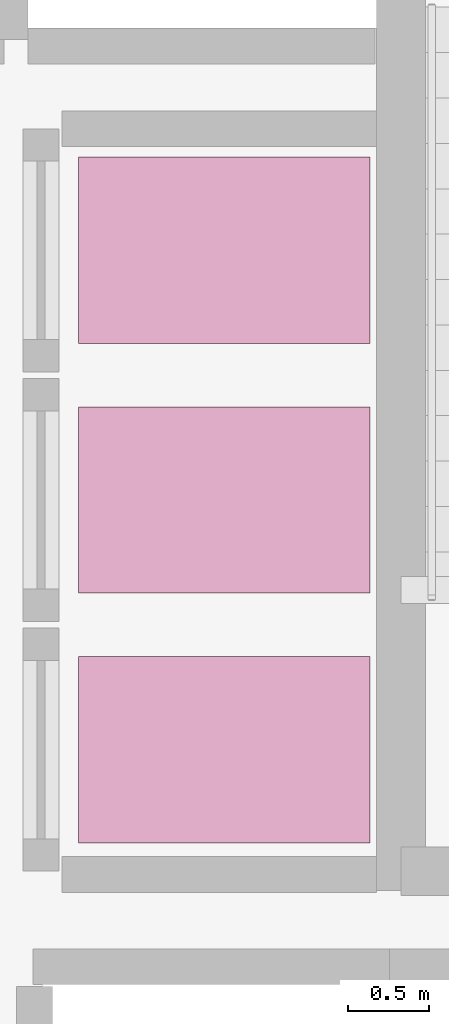
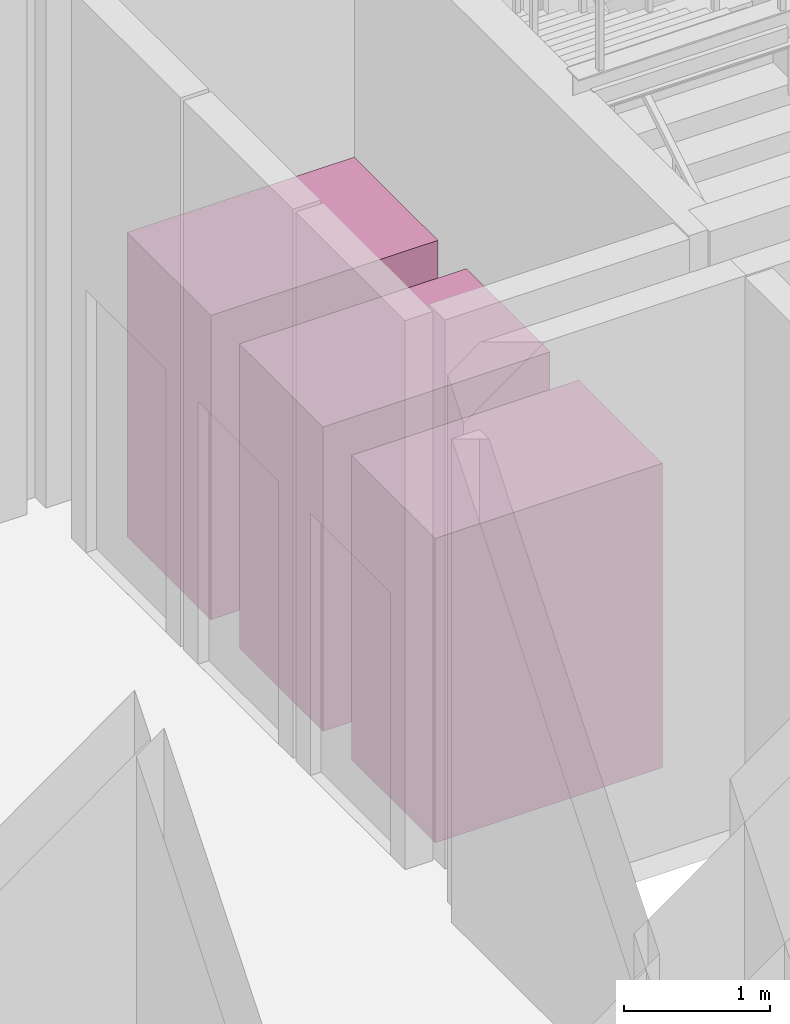
# One storey, part 17 of 17: 3 transport elements.
"""IFC4 building model written with IfcOpenShell, lengths in metres."""

from ifc_helpers import new_model, si_unit, direction, frame, origin, origin_2d, place, context, subcontext, project, spatial, rectangle, extrude, material, type_object, element, save


model = new_model("IFC4")

# Units and contexts
model_context = context("Model", 3, precision=1e-05, world=origin(), true_north=direction((0.0, 1.0)))
body_context = subcontext(model_context, "Body", "Model", "MODEL_VIEW")
ifc_project = project(units=[si_unit("LENGTHUNIT", "METRE"), si_unit("AREAUNIT", "SQUARE_METRE"), si_unit("VOLUMEUNIT", "CUBIC_METRE"), si_unit("PLANEANGLEUNIT", "RADIAN"), si_unit("MASSUNIT", "GRAM", prefix="KILO")], contexts=[model_context])

# Site, building, storey
site_placement = place(None, origin())
site = spatial("IfcSite", under=ifc_project, at=site_placement, CompositionType="ELEMENT")
building_placement = place(site_placement, origin())
building = spatial("IfcBuilding", under=site, at=building_placement, Name="Vantalir Tower", CompositionType="ELEMENT")
storey_placement = place(building_placement, frame((0.0, 0.0, 96.14990234375)))
storey = spatial("IfcBuildingStorey", under=building, at=storey_placement, Name="L23", CompositionType="ELEMENT", Elevation=96.14990234375)

# Transport elements
ifc_material = material(Name="Brushed stainless steel passenger lift car", Category="steel")
transport_element_type = type_object("IfcTransportElementType", Name="TRN-PASS-LIFT-1600", PredefinedType="ELEVATOR", material=ifc_material)
for number, where, z_axis, x_axis, name in (
    (1, (36.1201171875, 21.85009765625, 0.0), (0.0, 0.0, 1.0), (1.0, 0.0, 0.0), "Hotel Passenger Lift PL-M1"),
    (2, (36.1201171875, 23.389892578125, 0.0), (0.0, 0.0, 1.0), (1.0, 0.0, 0.0), "Hotel Passenger Lift PL-M2"),
    (3, (36.1201171875, 24.929931640625, 0.0), (0.0, 0.0, 1.0), (1.0, 0.0, 0.0), "Hotel Passenger Lift PL-M3"),
):
    element("IfcTransportElement", number, at=place(storey_placement, frame(where, z_axis=z_axis, x_axis=x_axis)), inside=storey, type_object=transport_element_type, Name=name, PredefinedType="ELEVATOR", context=body_context, shape_type="SweptSolid", body=[
        extrude(rectangle(XDim=1.800048828125, YDim=1.14990234375, at=origin_2d()), origin(), (0.0, 0.0, 1.0), 2.550048828125),
    ])

save(model, "model.ifc")
